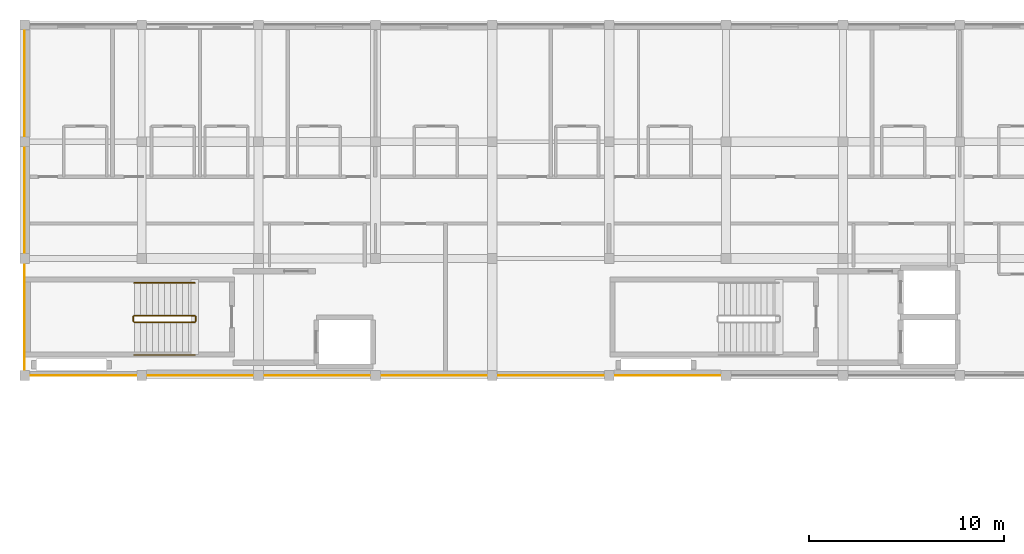
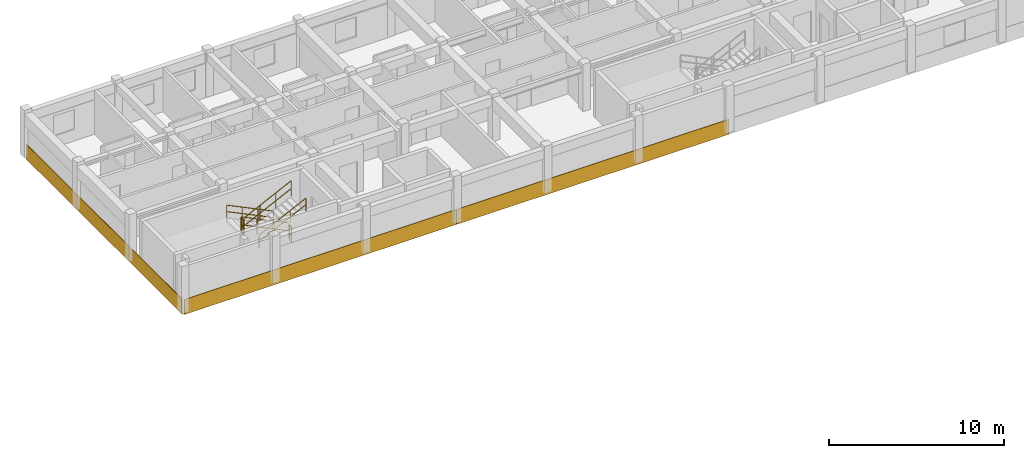
# One storey, part 12 of 14: 6 railings, 3 coverings.
"""IFC4 building model written with IfcOpenShell, lengths in metres."""

from ifc_helpers import new_model, si_unit, direction, frame, origin, origin_2d, place, context, subcontext, project, spatial, polyline, circle, outline, extrude, material, layer, layer_set, type_object, element, save


model = new_model("IFC4")

# Units and contexts
model_context = context("Model", 3, precision=1e-05, world=origin(), true_north=direction((0.0, 1.0)))
body_context = subcontext(model_context, "Body", "Model", "MODEL_VIEW")
ifc_project = project(units=[si_unit("LENGTHUNIT", "METRE"), si_unit("AREAUNIT", "SQUARE_METRE"), si_unit("VOLUMEUNIT", "CUBIC_METRE"), si_unit("PLANEANGLEUNIT", "RADIAN"), si_unit("MASSUNIT", "GRAM", prefix="KILO"), si_unit("THERMODYNAMICTEMPERATUREUNIT", "KELVIN"), si_unit("POWERUNIT", "WATT")], contexts=[model_context])

# Site, building, storey
site_placement = place(None, origin())
site = spatial("IfcSite", under=ifc_project, at=site_placement, CompositionType="ELEMENT")
building_placement = place(site_placement, origin())
building = spatial("IfcBuilding", under=site, at=building_placement, Name="Phaisarnlok Congress Hotel", CompositionType="ELEMENT")
storey_placement = place(building_placement, frame((0.0, 0.0, 44.699951171875)))
storey = spatial("IfcBuildingStorey", under=building, at=storey_placement, Name="L11", CompositionType="ELEMENT", Elevation=44.699951171875)

# Coverings
ifc_material_1 = material(Name="Anodised Silver Aluminium Alloy 6063-T6", Category="aluminium")
ifc_layer = layer(ifc_material_1, 0.031982421875, Name="Anodised Silver Aluminium Alloy 6063-T6")
ifc_layer_set = layer_set([ifc_layer], Name="Anodised Silver Aluminium Alloy 6063-T6")
covering_type = type_object("IfcCoveringType", Name="COV-SPAND-ALU", PredefinedType="CLADDING", material=ifc_layer_set)
for number, where, z_axis, x_axis, name in (
    (1, (102.06005859375, 108.0048828125, -0.280029296875), (0.0, -1.0, 0.0), (1.0, 0.0, 0.0), "Swiss minimalist anodised silver rainscreen band CL-02 (L11 S)"),
    (2, (120.06005859375, 108.0048828125, -0.280029296875), (0.0, -1.0, 0.0), (1.0, 0.0, 0.0), "Swiss minimalist anodised silver rainscreen band CL-02 (L11 S)"),
):
    element("IfcCovering", number, at=place(storey_placement, frame(where, z_axis=z_axis, x_axis=x_axis)), inside=storey, type_object=covering_type, Name=name, PredefinedType="CLADDING", context=body_context, shape_type="SweptSolid", body=[
        extrude(outline(polyline([(0.0, 0.0), (18.0, 0.0), (18.0, 1.050048828125), (0.0, 1.050048828125), (0.0, 0.0)])), origin(), (0.0, 0.0, 1.0), 0.031982421875),
    ])
covering_placement = place(storey_placement, frame((102.0048828125, 125.93994140625, -0.280029296875), z_axis=(-1.0, 0.0, 0.0), x_axis=(0.0, -1.0, 0.0)))
element("IfcCovering", 3, at=covering_placement, inside=storey, type_object=covering_type, Name="Swiss minimalist anodised silver rainscreen band CL-02 (L11 WG)", PredefinedType="CLADDING", context=body_context, shape_type="SweptSolid", body=[
    extrude(outline(polyline([(0.0, 0.0), (17.8798828125, 0.0), (17.8798828125, 1.050048828125), (0.0, 1.050048828125), (0.0, 0.0)])), origin(), (0.0, 0.0, 1.0), 0.031982421875),
])

# Railings
ifc_material_2 = material(Name="Painted Galvanised Steel S275", Category="steel")
railing_type_1 = type_object("IfcRailingType", Name="RLG-STR-GUARD", PredefinedType="BALUSTRADE", material=ifc_material_2)
railing_1_placement = place(storey_placement, frame((110.719970703125, 111.070068359375, 0.150146484375)))
element("IfcRailing", 4, at=railing_1_placement, inside=storey, type_object=railing_type_1, Name="L11 ST-07 stair guard 1", PredefinedType="BALUSTRADE", context=body_context, shape_type="SweptSolid", body=[
    extrude(circle(Radius=0.02392578125, at=origin_2d()), frame((0.0, 0.0, 1.076171875), z_axis=(-0.900151181449, 0.0, 0.435577605641), x_axis=(0.0, -1.0, 0.0)), (0.0, 0.0, 1.0), 3.443603515625),
    extrude(circle(Radius=0.02392578125, at=origin_2d()), frame((0.0, 0.0, 0.52587890625), z_axis=(-0.900151181449, 0.0, 0.435577605641), x_axis=(0.0, -1.0, 0.0)), (0.0, 0.0, 1.0), 3.443603515625),
    extrude(circle(Radius=0.02099609375, at=origin_2d()), origin(), (0.0, 0.0, 1.0), 1.052001953125),
    extrude(circle(Radius=0.02099609375, at=origin_2d()), frame((-1.033203125, 0.0, 0.5)), (0.0, 0.0, 1.0), 1.052001953125),
    extrude(circle(Radius=0.02099609375, at=origin_2d()), frame((-2.066650390625, 0.0, 1.0)), (0.0, 0.0, 1.0), 1.052001953125),
    extrude(circle(Radius=0.02099609375, at=origin_2d()), frame((-3.099853515625, 0.0, 1.5)), (0.0, 0.0, 1.0), 1.052001953125),
])
railing_2_placement = place(storey_placement, frame((107.570068359375, 111.02001953125, 1.650146484375)))
element("IfcRailing", 5, at=railing_2_placement, inside=storey, type_object=railing_type_1, Name="L11 ST-07 stair guard 2", PredefinedType="BALUSTRADE", context=body_context, shape_type="SweptSolid", body=[
    extrude(circle(Radius=0.02392578125, at=origin_2d()), frame((0.0, 0.0, 1.076171875), z_axis=(0.0, -1.0, 0.0), x_axis=(1.0, 0.0, 0.0)), (0.0, 0.0, 1.0), 0.239990234375),
    extrude(circle(Radius=0.02392578125, at=origin_2d()), frame((0.0, 0.0, 0.52587890625), z_axis=(0.0, -1.0, 0.0), x_axis=(1.0, 0.0, 0.0)), (0.0, 0.0, 1.0), 0.239990234375),
    extrude(circle(Radius=0.02099609375, at=origin_2d()), origin(), (0.0, 0.0, 1.0), 1.052001953125),
    extrude(circle(Radius=0.02099609375, at=origin_2d()), frame((0.0, -0.239990234375, 0.0)), (0.0, 0.0, 1.0), 1.052001953125),
])
railing_3_placement = place(storey_placement, frame((107.6201171875, 110.72998046875, 1.800048828125)))
element("IfcRailing", 6, at=railing_3_placement, inside=storey, type_object=railing_type_1, Name="L11 ST-07 stair guard 3", PredefinedType="BALUSTRADE", context=body_context, shape_type="SweptSolid", body=[
    extrude(circle(Radius=0.02392578125, at=origin_2d()), frame((0.0, 0.0, 1.076171875), z_axis=(0.900151181449, 0.0, 0.435577605641), x_axis=(0.0, 1.0, 0.0)), (0.0, 0.0, 1.0), 3.443603515625),
    extrude(circle(Radius=0.02392578125, at=origin_2d()), frame((0.0, 0.0, 0.52587890625), z_axis=(0.900151181449, 0.0, 0.435577605641), x_axis=(0.0, 1.0, 0.0)), (0.0, 0.0, 1.0), 3.443603515625),
    extrude(circle(Radius=0.02099609375, at=origin_2d()), origin(), (0.0, 0.0, 1.0), 1.052001953125),
    extrude(circle(Radius=0.02099609375, at=origin_2d()), frame((1.033203125, 0.0, 0.5)), (0.0, 0.0, 1.0), 1.052001953125),
    extrude(circle(Radius=0.02099609375, at=origin_2d()), frame((2.066650390625, 0.0, 1.0)), (0.0, 0.0, 1.0), 1.052001953125),
    extrude(circle(Radius=0.02099609375, at=origin_2d()), frame((3.099853515625, 0.0, 1.5)), (0.0, 0.0, 1.0), 1.052001953125),
])
railing_4_placement = place(storey_placement, frame((110.77001953125, 111.02001953125, 0.0)))
element("IfcRailing", 7, at=railing_4_placement, inside=storey, type_object=railing_type_1, Name="L11 ST-07 stair guard 4", PredefinedType="BALUSTRADE", context=body_context, shape_type="SweptSolid", body=[
    extrude(circle(Radius=0.02392578125, at=origin_2d()), frame((0.0, 0.0, 1.076171875), z_axis=(0.0, -1.0, 0.0), x_axis=(1.0, 0.0, 0.0)), (0.0, 0.0, 1.0), 0.239990234375),
    extrude(circle(Radius=0.02392578125, at=origin_2d()), frame((0.0, 0.0, 0.52587890625), z_axis=(0.0, -1.0, 0.0), x_axis=(1.0, 0.0, 0.0)), (0.0, 0.0, 1.0), 0.239990234375),
    extrude(circle(Radius=0.02099609375, at=origin_2d()), origin(), (0.0, 0.0, 1.0), 1.052001953125),
    extrude(circle(Radius=0.02099609375, at=origin_2d()), frame((0.0, -0.239990234375, 0.0)), (0.0, 0.0, 1.0), 1.052001953125),
])
ifc_material_3 = material(Name="Brushed Stainless Steel Grade 304", Category="steel")
railing_type_2 = type_object("IfcRailingType", Name="RLG-STR-HRAIL", PredefinedType="HANDRAIL", material=ifc_material_3)
railing_5_placement = place(storey_placement, frame((110.719970703125, 112.75, 0.150146484375)))
element("IfcRailing", 8, at=railing_5_placement, inside=storey, type_object=railing_type_2, Name="L11 ST-07 stair handrail 1", PredefinedType="HANDRAIL", context=body_context, shape_type="SweptSolid", body=[
    extrude(circle(Radius=0.02392578125, at=origin_2d()), frame((0.0, 0.0, 0.8759765625), z_axis=(-0.900151181449, 0.0, 0.435577605641), x_axis=(0.0, -1.0, 0.0)), (0.0, 0.0, 1.0), 3.443603515625),
    extrude(circle(Radius=0.02392578125, at=origin_2d()), frame((0.0, 0.0, 0.42578125), z_axis=(-0.900151181449, 0.0, 0.435577605641), x_axis=(0.0, -1.0, 0.0)), (0.0, 0.0, 1.0), 3.443603515625),
    extrude(circle(Radius=0.02099609375, at=origin_2d()), origin(), (0.0, 0.0, 1.0), 0.851806640625),
    extrude(circle(Radius=0.02099609375, at=origin_2d()), frame((-1.033203125, 0.0, 0.5)), (0.0, 0.0, 1.0), 0.851806640625),
    extrude(circle(Radius=0.02099609375, at=origin_2d()), frame((-2.066650390625, 0.0, 1.0)), (0.0, 0.0, 1.0), 0.851806640625),
    extrude(circle(Radius=0.02099609375, at=origin_2d()), frame((-3.099853515625, 0.0, 1.5)), (0.0, 0.0, 1.0), 0.851806640625),
])
railing_6_placement = place(storey_placement, frame((107.6201171875, 109.050048828125, 1.800048828125)))
element("IfcRailing", 9, at=railing_6_placement, inside=storey, type_object=railing_type_2, Name="L11 ST-07 stair handrail 2", PredefinedType="HANDRAIL", context=body_context, shape_type="SweptSolid", body=[
    extrude(circle(Radius=0.02392578125, at=origin_2d()), frame((0.0, 0.0, 0.8759765625), z_axis=(0.900151181449, 0.0, 0.435577605641), x_axis=(0.0, 1.0, 0.0)), (0.0, 0.0, 1.0), 3.443603515625),
    extrude(circle(Radius=0.02392578125, at=origin_2d()), frame((0.0, 0.0, 0.42578125), z_axis=(0.900151181449, 0.0, 0.435577605641), x_axis=(0.0, 1.0, 0.0)), (0.0, 0.0, 1.0), 3.443603515625),
    extrude(circle(Radius=0.02099609375, at=origin_2d()), origin(), (0.0, 0.0, 1.0), 0.851806640625),
    extrude(circle(Radius=0.02099609375, at=origin_2d()), frame((1.033203125, 0.0, 0.5)), (0.0, 0.0, 1.0), 0.851806640625),
    extrude(circle(Radius=0.02099609375, at=origin_2d()), frame((2.066650390625, 0.0, 1.0)), (0.0, 0.0, 1.0), 0.851806640625),
    extrude(circle(Radius=0.02099609375, at=origin_2d()), frame((3.099853515625, 0.0, 1.5)), (0.0, 0.0, 1.0), 0.851806640625),
])

save(model, "model.ifc")
